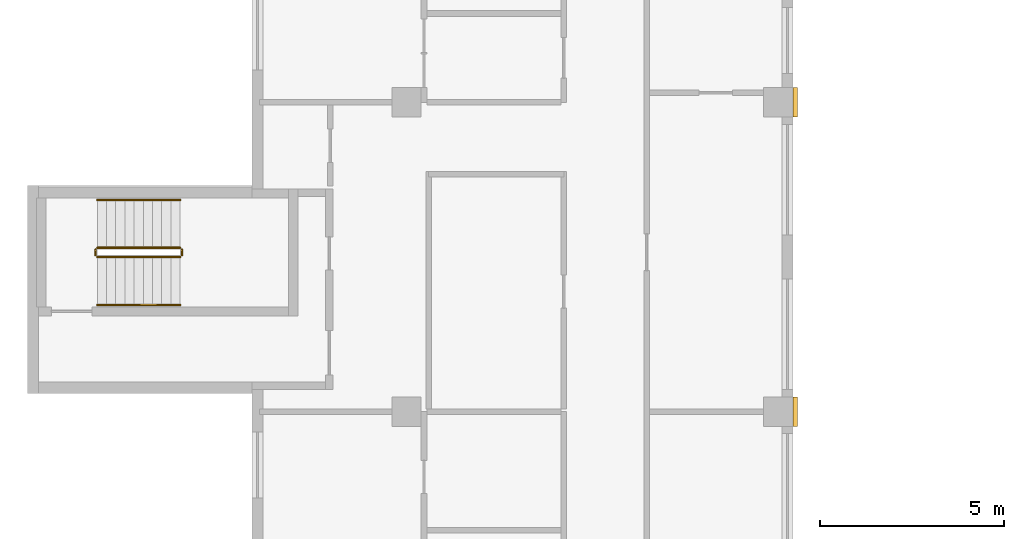
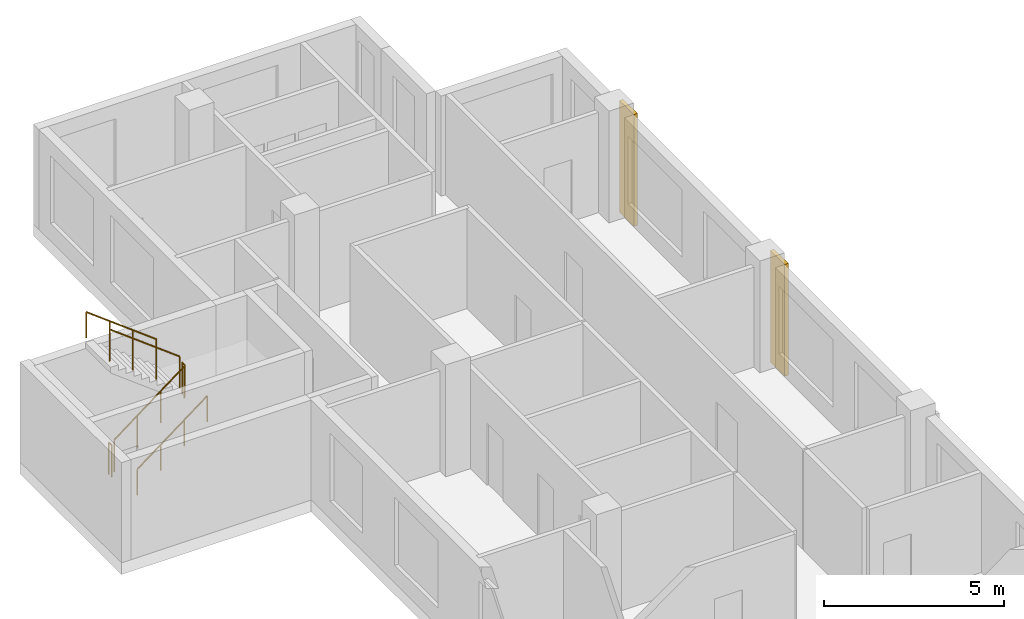
# One storey, part 11 of 11: 6 railings, 2 coverings.
"""IFC4 building model written with IfcOpenShell, lengths in metres."""

import ifcopenshell
import ifcopenshell.guid

model = None  # the IFC model being written
_history = None  # IfcOwnerHistory: only IFC2X3 demands one
_inside = {}  # id of a spatial element -> (the spatial element, [elements in it])
_under = {}  # id of a project, library or spatial element -> (it, [spatial elements below it])
_declared = {}  # id of a project -> (the project, [libraries it declares])
_typed = {}  # id of a type object -> (the type object, [elements of that type])
_made_of = {}  # id of a material, layer set ... -> (it, [elements and type objects made of it])


def new_model(schema):
    """Start an empty IFC model of exactly this schema.

    Asked for "IFC4X3", IfcOpenShell would pick the latest addendum, in which some entities
    have other attributes; the version numbers below select the first issue.
    IFC2X3 requires an IfcOwnerHistory on every rooted entity: one is made here for all.
    """
    global model, _history
    if schema == "IFC4X3":
        model = ifcopenshell.file(schema_version=(4, 3, 0, 0))
    else:
        model = ifcopenshell.file(schema=schema)
    _inside.clear()
    _under.clear()
    _declared.clear()
    _typed.clear()
    _made_of.clear()
    _history = None
    if model.schema == "IFC2X3":
        org = make("IfcOrganization", Name="unknown")
        user = make(
            "IfcPersonAndOrganization",
            ThePerson=make("IfcPerson", FamilyName="unknown"),
            TheOrganization=org,
        )
        app = make(
            "IfcApplication",
            ApplicationDeveloper=org,
            Version="unknown",
            ApplicationFullName="unknown",
            ApplicationIdentifier="unknown",
        )
        _history = make(
            "IfcOwnerHistory",
            OwningUser=user,
            OwningApplication=app,
            ChangeAction="ADDED",
            CreationDate=0,
        )
    return model


def make(cls, **values):
    """One entity of the class cls with the attributes given. An attribute that is None is left unset."""
    return model.create_entity(
        cls, **{name: value for name, value in values.items() if value is not None}
    )


def rooted(cls, **values):
    """An entity with a GlobalId (a new one), such as an element, a storey or a relation."""
    return make(cls, GlobalId=ifcopenshell.guid.new(), OwnerHistory=_history, **values)


def si_unit(unit_type, name, prefix=None):
    """IfcSIUnit, for example si_unit("LENGTHUNIT", "METRE", prefix="MILLI")."""
    return make("IfcSIUnit", UnitType=unit_type, Prefix=prefix, Name=name)


def assignment(units):
    """IfcUnitAssignment: the units of a project."""
    return None if units is None else make("IfcUnitAssignment", Units=units)


def point(xyz):
    """IfcCartesianPoint."""
    return None if xyz is None else make("IfcCartesianPoint", Coordinates=xyz)


def direction(xyz):
    """IfcDirection."""
    return None if xyz is None else make("IfcDirection", DirectionRatios=xyz)


def frame(location, z_axis=None, x_axis=None):
    """IfcAxis2Placement3D, a coordinate frame: its origin and axes. An axis left out is left unset."""
    return make(
        "IfcAxis2Placement3D",
        Location=point(location),
        Axis=direction(z_axis),
        RefDirection=direction(x_axis),
    )


def frame_2d(location, x_axis=None):
    """IfcAxis2Placement2D, a coordinate frame in the plane: its origin and x axis."""
    return make(
        "IfcAxis2Placement2D", Location=point(location), RefDirection=direction(x_axis)
    )


def origin():
    """The frame at (0, 0, 0) with its axes left unset."""
    return frame((0.0, 0.0, 0.0))


def origin_2d():
    """The frame at (0, 0) in the plane with its x axis left unset."""
    return frame_2d((0.0, 0.0))


def place(relative_to, where):
    """IfcLocalPlacement: puts the frame where relative to a parent placement (None: the world)."""
    return make(
        "IfcLocalPlacement", PlacementRelTo=relative_to, RelativePlacement=where
    )


def context(
    kind, dimensions, precision=None, world=None, true_north=None, identifier=None
):
    """IfcGeometricRepresentationContext, for example the 3D "Model" context."""
    return make(
        "IfcGeometricRepresentationContext",
        ContextIdentifier=identifier,
        ContextType=kind,
        CoordinateSpaceDimension=dimensions,
        Precision=precision,
        WorldCoordinateSystem=world,
        TrueNorth=true_north,
    )


def subcontext(parent, identifier, kind, view, scale=None):
    """IfcGeometricRepresentationSubContext, for example "Body" below "Model"."""
    return make(
        "IfcGeometricRepresentationSubContext",
        ContextIdentifier=identifier,
        ContextType=kind,
        ParentContext=parent,
        TargetScale=scale,
        TargetView=view,
    )


def project(units=None, contexts=None):
    """IfcProject with its units and contexts."""
    return rooted(
        "IfcProject",
        Name="project",
        RepresentationContexts=contexts,
        UnitsInContext=assignment(units),
    )


def spatial(cls, under=None, at=None, **own):
    """A site, building, storey or space (cls), placed at a placement, below another one or the project."""
    s = rooted(cls, ObjectPlacement=at, **own)
    if under is not None:
        _under.setdefault(under.id(), (under, []))[1].append(s)
    return s


def profile(cls, at=None, kind="AREA", **sizes):
    """A parametric profile (cls). Its sizes go by their IFC names, for example OverallWidth=200.0."""
    return make(cls, ProfileType=kind, Position=at, **sizes)


def rectangle(**sizes):
    """IfcRectangleProfileDef."""
    return profile("IfcRectangleProfileDef", **sizes)


def circle(**sizes):
    """IfcCircleProfileDef."""
    return profile("IfcCircleProfileDef", **sizes)


def extrude(swept, where, along, depth):
    """IfcExtrudedAreaSolid: the profile swept, set in the frame where, extruded along a direction by depth."""
    return make(
        "IfcExtrudedAreaSolid",
        SweptArea=swept,
        Position=where,
        ExtrudedDirection=direction(along),
        Depth=depth,
    )


def shape(context_of_items, identifier, shape_type, items):
    """IfcShapeRepresentation: the items that make up one representation, for example the "Body"."""
    return make(
        "IfcShapeRepresentation",
        ContextOfItems=context_of_items,
        RepresentationIdentifier=identifier,
        RepresentationType=shape_type,
        Items=items,
    )


def source(mapping_origin, context_of_items, identifier, shape_type, items):
    """IfcRepresentationMap: a shape defined once, which mapped items show again and again."""
    return make(
        "IfcRepresentationMap",
        MappingOrigin=mapping_origin,
        MappedRepresentation=shape(context_of_items, identifier, shape_type, items),
    )


def transform(
    local_origin,
    x_axis=None,
    y_axis=None,
    z_axis=None,
    scale=None,
    scale2=None,
    scale3=None,
    uniform=True,
):
    """IfcCartesianTransformationOperator3D, or its non-uniform kind. x_axis, y_axis, z_axis: its Axis1, 2, 3."""
    if uniform:
        return make(
            "IfcCartesianTransformationOperator3D",
            Axis1=direction(x_axis),
            Axis2=direction(y_axis),
            LocalOrigin=point(local_origin),
            Scale=scale,
            Axis3=direction(z_axis),
        )
    return make(
        "IfcCartesianTransformationOperator3DnonUniform",
        Axis1=direction(x_axis),
        Axis2=direction(y_axis),
        LocalOrigin=point(local_origin),
        Scale=scale,
        Axis3=direction(z_axis),
        Scale2=scale2,
        Scale3=scale3,
    )


def mapped(mapping_source, mapping_target):
    """IfcMappedItem: shows the shape of a source again, moved by a transform."""
    return make(
        "IfcMappedItem", MappingSource=mapping_source, MappingTarget=mapping_target
    )


def material(Name=None, Category=None):
    """IfcMaterial."""
    return make("IfcMaterial", Name=Name, Category=Category)


def made_of(thing, what):
    """Note that an element or type object is made of a material, layer set ...; save() writes the relation."""
    if what is not None:
        _made_of.setdefault(what.id(), (what, []))[1].append(thing)
    return thing


def type_object(cls, material=None, **own):
    """A type object (cls), such as IfcWallType, which elements share."""
    return made_of(rooted(cls, **own), material)


def element(
    cls,
    number,
    at=None,
    inside=None,
    cuts=None,
    type_object=None,
    material=None,
    context=None,
    identifier="Body",
    shape_type=None,
    held_by="IfcProductDefinitionShape",
    body=None,
    shapes=None,
    **own,
):
    """One element of the class cls, such as IfcWall. Its Tag is "e" and its number.

    at: its placement. inside: the storey or other place that contains it. cuts: it is an
    opening in that element (IfcRelVoidsElement). A single representation is given by context,
    identifier, shape_type and body (its items); several are given by shapes. held_by: the class
    of the entity that holds the representations. save() writes the other relations.
    """
    e = rooted(cls, Tag="e%d" % number, ObjectPlacement=at, **own)
    if body is not None:
        shapes = [shape(context, identifier, shape_type, body)]
    if shapes is not None:
        e.Representation = make(held_by, Representations=shapes)
    if inside is not None:
        _inside.setdefault(inside.id(), (inside, []))[1].append(e)
    if cuts is not None:
        rooted(
            "IfcRelVoidsElement", RelatingBuildingElement=cuts, RelatedOpeningElement=e
        )
    if type_object is not None:
        _typed.setdefault(type_object.id(), (type_object, []))[1].append(e)
    return made_of(e, material)


def aggregate(whole, parts):
    """IfcRelAggregates: a whole, such as a stair, and the parts it consists of."""
    return rooted("IfcRelAggregates", RelatingObject=whole, RelatedObjects=parts)


def save(model, path):
    """Write the relations noted so far, then the file.

    IfcRelAggregates (storeys below a building ...), IfcRelContainedInSpatialStructure (elements
    in a storey), IfcRelDefinesByType, IfcRelAssociatesMaterial and IfcRelDeclares: one each for
    every whole, place, type object, material and project.
    """
    for whole, parts in _under.values():
        aggregate(whole, parts)
    for where, things in _inside.values():
        rooted(
            "IfcRelContainedInSpatialStructure",
            RelatedElements=things,
            RelatingStructure=where,
        )
    for kind, things in _typed.values():
        rooted("IfcRelDefinesByType", RelatedObjects=things, RelatingType=kind)
    for what, things in _made_of.values():
        rooted("IfcRelAssociatesMaterial", RelatedObjects=things, RelatingMaterial=what)
    for by, libraries in _declared.values():
        rooted("IfcRelDeclares", RelatingContext=by, RelatedDefinitions=libraries)
    model.write(path)


model = new_model("IFC4")

# Units and contexts
model_context = context("Model", 3, precision=1e-05, world=origin(), true_north=direction((0.0, 1.0)))
body_context = subcontext(model_context, "Body", "Model", "MODEL_VIEW")
ifc_project = project(units=[si_unit("LENGTHUNIT", "METRE"), si_unit("AREAUNIT", "SQUARE_METRE"), si_unit("VOLUMEUNIT", "CUBIC_METRE"), si_unit("PLANEANGLEUNIT", "RADIAN"), si_unit("MASSUNIT", "GRAM", prefix="KILO")], contexts=[model_context])

# Site, building, storey
site_placement = place(None, origin())
site = spatial("IfcSite", under=ifc_project, at=site_placement, CompositionType="ELEMENT")
building_placement = place(site_placement, origin())
building = spatial("IfcBuilding", under=site, at=building_placement, Name="Aurelian Terraces", CompositionType="ELEMENT")
storey_placement = place(building_placement, frame((0.0, 0.0, 265.2)))
storey = spatial("IfcBuildingStorey", under=building, at=storey_placement, Name="L61", CompositionType="ELEMENT", Elevation=265.2)

# Coverings
ifc_material_1 = material(Name="Terracotta rainscreen cladding relief", Category="masonry")
covering_type = type_object("IfcCoveringType", Name="BAGUETTE-TC", PredefinedType="CLADDING", material=ifc_material_1)
shared_shape_1 = source(origin(), body_context, "Body", "SweptSolid", [
    extrude(rectangle(XDim=0.12, YDim=0.8, at=origin_2d()), origin(), (0.0, 0.0, 1.0), 3.8),
])
for number, where, z_axis, x_axis, name in (
    (1, (21.06, 37.8, -0.4), (0.0, 0.0, 1.0), (1.0, 0.0, 0.0), "BAGUETTE pier L61 7"),
    (2, (21.06, 46.2, -0.4), (0.0, 0.0, 1.0), (1.0, 0.0, 0.0), "BAGUETTE pier L61 8"),
):
    element("IfcCovering", number, at=place(storey_placement, frame(where, z_axis=z_axis, x_axis=x_axis)), inside=storey, type_object=covering_type, Name=name, PredefinedType="CLADDING", context=body_context, shape_type="MappedRepresentation", body=[
        mapped(shared_shape_1, transform((0.0, 0.0, 0.0), scale=1.0)),
    ])

# Railings
ifc_material_2 = material(Name="Stainless steel", Category="steel")
railing_type_1 = type_object("IfcRailingType", Name="Stair guard 1100", PredefinedType="GUARDRAIL", material=ifc_material_2)
shared_shape_2 = source(origin(), body_context, "Body", "SweptSolid", [
    extrude(circle(Radius=0.024, at=origin_2d()), frame((0.0, 0.0, 1.076), z_axis=(0.0, 1.0, 0.0), x_axis=(-1.0, 0.0, 0.0)), (0.0, 0.0, 1.0), 0.15),
    extrude(circle(Radius=0.021, at=origin_2d()), origin(), (0.0, 0.0, 1.0), 1.052),
    extrude(circle(Radius=0.021, at=origin_2d()), frame((0.0, 0.15, 0.0)), (0.0, 0.0, 1.0), 1.052),
])
for number, where, name in (
    (3, (4.4, 42.05, 1.9), "L61 S3 stair guard 2"),
    (4, (2.05, 42.05, 0.0), "L61 S3 stair guard 4"),
):
    element("IfcRailing", number, at=place(storey_placement, frame(where)), inside=storey, type_object=railing_type_1, Name=name, PredefinedType="GUARDRAIL", context=body_context, shape_type="MappedRepresentation", body=[
        mapped(shared_shape_2, transform((0.0, 0.0, 0.0), scale=1.0)),
    ])
shared_shape_3 = source(origin(), body_context, "Body", "SweptSolid", [
    extrude(circle(Radius=0.024, at=origin_2d()), frame((0.0, 0.0, 1.076), z_axis=(0.796162194123, 0.0, 0.605083267534), x_axis=(0.0, 1.0, 0.0)), (0.0, 0.0, 1.0), 2.8261),
    extrude(circle(Radius=0.021, at=origin_2d()), origin(), (0.0, 0.0, 1.0), 1.052),
    extrude(circle(Radius=0.021, at=origin_2d()), frame((0.75, 0.0, 0.57)), (0.0, 0.0, 1.0), 1.052),
    extrude(circle(Radius=0.021, at=origin_2d()), frame((1.5, 0.0, 1.14)), (0.0, 0.0, 1.0), 1.052),
    extrude(circle(Radius=0.021, at=origin_2d()), frame((2.25, 0.0, 1.71)), (0.0, 0.0, 1.0), 1.052),
])
railing_1_placement = place(storey_placement, frame((2.1, 42.0, 0.19)))
element("IfcRailing", 5, at=railing_1_placement, inside=storey, type_object=railing_type_1, Name="L61 S3 stair guard 1", PredefinedType="GUARDRAIL", context=body_context, shape_type="MappedRepresentation", body=[
    mapped(shared_shape_3, transform((0.0, 0.0, 0.0), scale=1.0)),
])
shared_shape_4 = source(origin(), body_context, "Body", "SweptSolid", [
    extrude(circle(Radius=0.024, at=origin_2d()), frame((0.0, 0.0, 1.076), z_axis=(-0.796162194123, 0.0, 0.605083267534), x_axis=(0.0, -1.0, 0.0)), (0.0, 0.0, 1.0), 2.8261),
    extrude(circle(Radius=0.021, at=origin_2d()), origin(), (0.0, 0.0, 1.0), 1.052),
    extrude(circle(Radius=0.021, at=origin_2d()), frame((-0.75, 0.0, 0.57)), (0.0, 0.0, 1.0), 1.052),
    extrude(circle(Radius=0.021, at=origin_2d()), frame((-1.5, 0.0, 1.14)), (0.0, 0.0, 1.0), 1.052),
    extrude(circle(Radius=0.021, at=origin_2d()), frame((-2.25, 0.0, 1.71)), (0.0, 0.0, 1.0), 1.052),
])
railing_2_placement = place(storey_placement, frame((4.35, 42.25, 2.09)))
element("IfcRailing", 6, at=railing_2_placement, inside=storey, type_object=railing_type_1, Name="L61 S3 stair guard 3", PredefinedType="GUARDRAIL", context=body_context, shape_type="MappedRepresentation", body=[
    mapped(shared_shape_4, transform((0.0, 0.0, 0.0), scale=1.0)),
])
railing_type_2 = type_object("IfcRailingType", Name="Stair handrail", PredefinedType="HANDRAIL", material=ifc_material_2)
shared_shape_5 = source(origin(), body_context, "Body", "SweptSolid", [
    extrude(circle(Radius=0.024, at=origin_2d()), frame((0.0, 0.0, 0.876), z_axis=(0.796162194123, 0.0, 0.605083267534), x_axis=(0.0, 1.0, 0.0)), (0.0, 0.0, 1.0), 2.8261),
    extrude(circle(Radius=0.021, at=origin_2d()), origin(), (0.0, 0.0, 1.0), 0.852),
    extrude(circle(Radius=0.021, at=origin_2d()), frame((0.75, 0.0, 0.57)), (0.0, 0.0, 1.0), 0.852),
    extrude(circle(Radius=0.021, at=origin_2d()), frame((1.5, 0.0, 1.14)), (0.0, 0.0, 1.0), 0.852),
    extrude(circle(Radius=0.021, at=origin_2d()), frame((2.25, 0.0, 1.71)), (0.0, 0.0, 1.0), 0.852),
])
railing_3_placement = place(storey_placement, frame((2.1, 40.7, 0.19)))
element("IfcRailing", 7, at=railing_3_placement, inside=storey, type_object=railing_type_2, Name="L61 S3 stair handrail 1", PredefinedType="HANDRAIL", context=body_context, shape_type="MappedRepresentation", body=[
    mapped(shared_shape_5, transform((0.0, 0.0, 0.0), scale=1.0)),
])
shared_shape_6 = source(origin(), body_context, "Body", "SweptSolid", [
    extrude(circle(Radius=0.024, at=origin_2d()), frame((0.0, 0.0, 0.876), z_axis=(-0.796162194123, 0.0, 0.605083267534), x_axis=(0.0, -1.0, 0.0)), (0.0, 0.0, 1.0), 2.8261),
    extrude(circle(Radius=0.021, at=origin_2d()), origin(), (0.0, 0.0, 1.0), 0.852),
    extrude(circle(Radius=0.021, at=origin_2d()), frame((-0.75, 0.0, 0.57)), (0.0, 0.0, 1.0), 0.852),
    extrude(circle(Radius=0.021, at=origin_2d()), frame((-1.5, 0.0, 1.14)), (0.0, 0.0, 1.0), 0.852),
    extrude(circle(Radius=0.021, at=origin_2d()), frame((-2.25, 0.0, 1.71)), (0.0, 0.0, 1.0), 0.852),
])
railing_4_placement = place(storey_placement, frame((4.35, 43.55, 2.09)))
element("IfcRailing", 8, at=railing_4_placement, inside=storey, type_object=railing_type_2, Name="L61 S3 stair handrail 2", PredefinedType="HANDRAIL", context=body_context, shape_type="MappedRepresentation", body=[
    mapped(shared_shape_6, transform((0.0, 0.0, 0.0), scale=1.0)),
])

save(model, "model.ifc")
